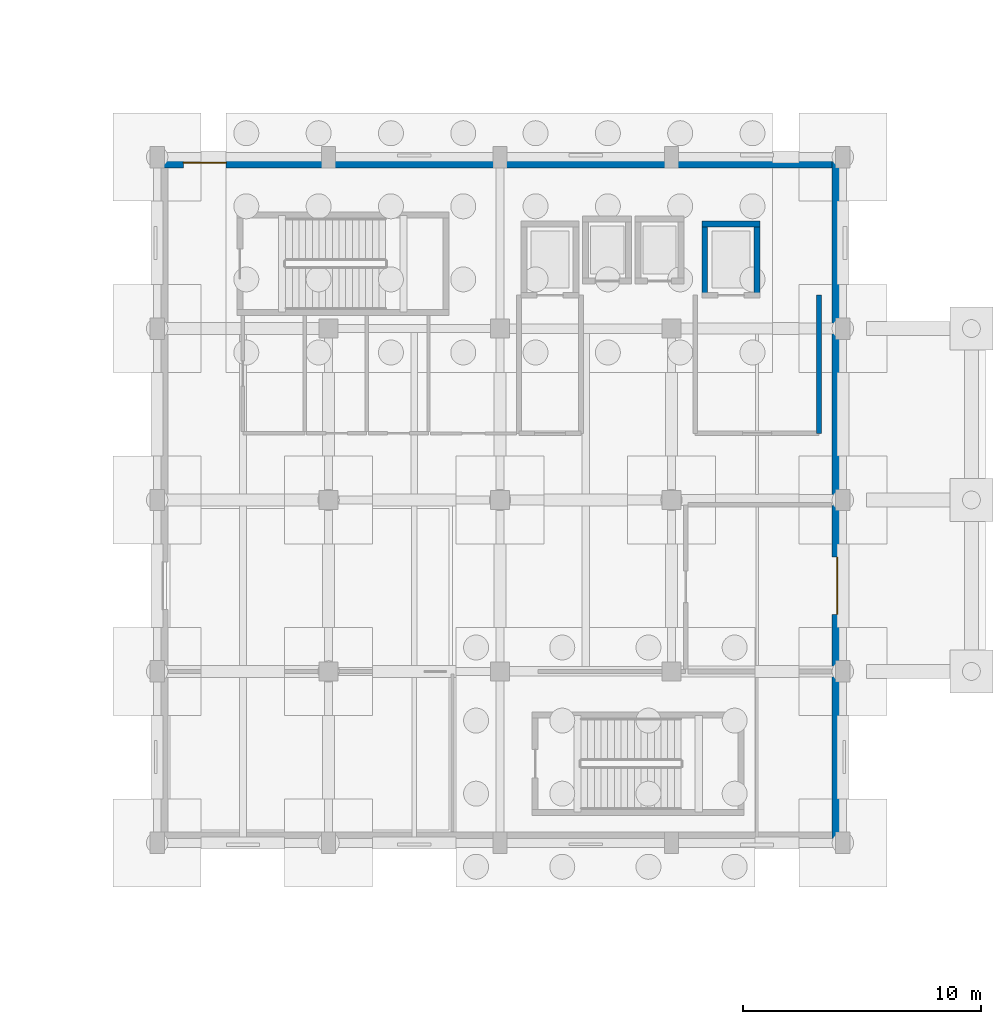
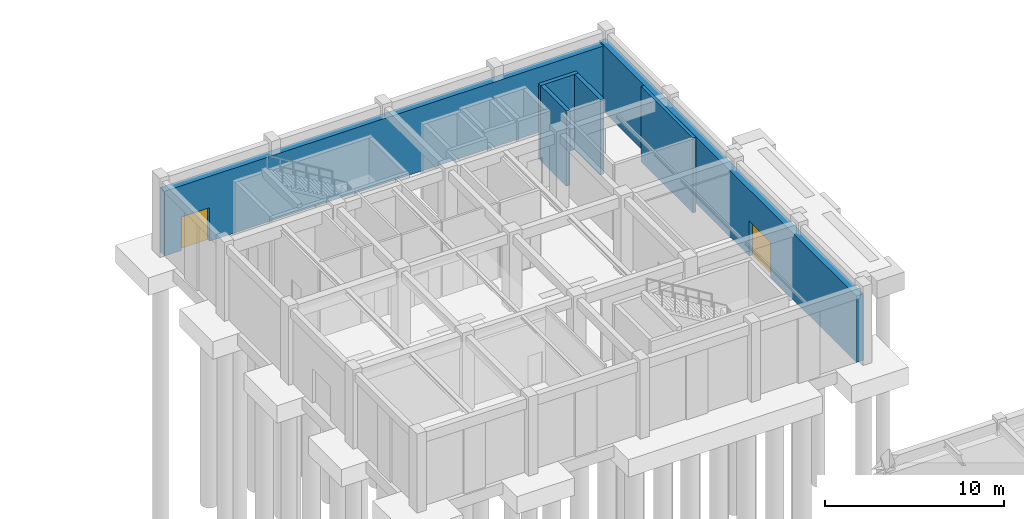
# One storey, part 78 of 91: 6 walls, 2 doors, 2 openings.
"""IFC4 building model written with IfcOpenShell, lengths in metres."""

from ifc_helpers import new_model, si_unit, direction, frame, frame_2d, origin, place, context, subcontext, project, spatial, rectangle, extrude, material, layer, layer_set, type_object, element, fill, save


model = new_model("IFC4")

# Units and contexts
model_context = context("Model", 3, precision=1e-05, world=origin(), true_north=direction((0.0, 1.0)))
body_context = subcontext(model_context, "Body", "Model", "MODEL_VIEW")
ifc_project = project(units=[si_unit("LENGTHUNIT", "METRE"), si_unit("AREAUNIT", "SQUARE_METRE"), si_unit("VOLUMEUNIT", "CUBIC_METRE"), si_unit("PLANEANGLEUNIT", "RADIAN"), si_unit("MASSUNIT", "GRAM", prefix="KILO")], contexts=[model_context])

# Site, building, storey
site_placement = place(None, origin())
site = spatial("IfcSite", under=ifc_project, at=site_placement, CompositionType="ELEMENT")
building_placement = place(site_placement, origin())
building = spatial("IfcBuilding", under=site, at=building_placement, Name="Bramveld Media Centre", CompositionType="ELEMENT")
storey_placement = place(building_placement, origin())
storey = spatial("IfcBuildingStorey", under=building, at=storey_placement, Name="L00", CompositionType="ELEMENT", Elevation=0.0)

# Walls
ifc_material_1 = material(Name="Concrete C40/50 stair & lift core wall", Category="concrete")
ifc_layer_1 = layer(ifc_material_1, 0.25)
ifc_layer_set_1 = layer_set([ifc_layer_1], Name="Concrete C40/50 stair & lift core wall")
wall_type_1 = type_object("IfcWallType", Name="CWALL-SHEAR-250", PredefinedType="SHEAR", material=ifc_layer_set_1)
wall_1_placement = place(storey_placement, frame((156.52490234375, 109.199951171875, 0.0), z_axis=(0.0, 0.0, 1.0), x_axis=(-1.0, 0.0, 0.0)))
element("IfcWall", 1, at=wall_1_placement, inside=storey, type_object=wall_type_1, Name="FL-02 L00 lift shaft wall N", PredefinedType="SHEAR", context=body_context, shape_type="SweptSolid", body=[
    extrude(rectangle(XDim=2.449951171875, YDim=0.25, at=frame_2d((1.22509765625, 0.0))), origin(), (0.0, 0.0, 1.0), 5.139892578125),
])
for number, where, z_axis, x_axis, name in (
    (2, (154.199951171875, 109.199951171875, 0.0), (0.0, 0.0, 1.0), (0.0, -1.0, 0.0), "FL-02 L00 lift shaft wall W"),
    (3, (156.39990234375, 106.199951171875, 0.0), (0.0, 0.0, 1.0), (0.0, 1.0, 0.0), "FL-02 L00 lift shaft wall E"),
):
    element("IfcWall", number, at=place(storey_placement, frame(where, z_axis=z_axis, x_axis=x_axis)), inside=storey, type_object=wall_type_1, Name=name, PredefinedType="SHEAR", context=body_context, shape_type="SweptSolid", body=[
        extrude(rectangle(XDim=3.0, YDim=0.25, at=frame_2d((1.5, 0.0))), origin(), (0.0, 0.0, 1.0), 5.139892578125),
    ])

# Wall, opening, door
ifc_material_2 = material(Name="Flemish red-brown clay facing brick cavity wall with concrete C35/45 inner leaf", Category="masonry")
ifc_layer_2 = layer(ifc_material_2, 0.4599609375)
ifc_layer_set_2 = layer_set([ifc_layer_2], Name="Flemish red-brown clay facing brick cavity wall with concrete C35/45 inner leaf")
wall_type_2 = type_object("IfcWallType", Name="EW-BRK-460", PredefinedType="SOLIDWALL", material=ifc_layer_set_2)
wall_2_placement = place(storey_placement, frame((159.77001953125, 112.0, 0.0), z_axis=(0.0, 0.0, 1.0), x_axis=(0.0, -1.0, 0.0)))
wall_2 = element("IfcWall", 4, at=wall_2_placement, inside=storey, type_object=wall_type_2, Name="V7 L00 E facing brick exterior wall", PredefinedType="SOLIDWALL", context=body_context, shape_type="SweptSolid", body=[
    extrude(rectangle(XDim=28.800048828125, YDim=0.4599609375, at=frame_2d((14.39990234375, 0.0))), origin(), (0.0, 0.0, 1.0), 4.534912109375),
])
opening_1_placement = place(wall_2_placement, frame((16.800048828125, 0.0, 0.0)))
opening_1 = element("IfcOpeningElement", 5, at=opening_1_placement, cuts=wall_2, Name="Opening ED-14", PredefinedType="OPENING", context=body_context, shape_type="SweptSolid", body=[
    extrude(rectangle(XDim=2.39990234375, YDim=2.39990234375, at=frame_2d((1.199951171875, 1.199951171875))), frame((0.0, 0.241943359375, 0.0), z_axis=(0.0, -1.0, 0.0), x_axis=(1.0, 0.0, 0.0)), (0.0, 0.0, 1.0), 0.48388671875),
])
ifc_material_3 = material(Name="Insulated powder-coated bronze aluminium & laminated safety glass door", Category="aluminium")
door_type_1 = type_object("IfcDoorType", Name="DR-EXT-2400", OperationType="NOTDEFINED", PredefinedType="DOOR", material=ifc_material_3)
door_1_placement = place(opening_1_placement, origin())
door_1 = element("IfcDoor", 6, at=door_1_placement, inside=storey, type_object=door_type_1, Name="Exterior door ED-14", OperationType="DOUBLE_DOOR_SINGLE_SWING", OverallHeight=2.39990234375, OverallWidth=2.39990234375, PredefinedType="DOOR", context=body_context, shape_type="SweptSolid", body=[
    extrude(rectangle(XDim=2.39990234375, YDim=2.39990234375, at=frame_2d((1.199951171875, 1.199951171875))), frame((0.0, 0.02490234375, 0.0), z_axis=(0.0, -1.0, 0.0), x_axis=(1.0, 0.0, 0.0)), (0.0, 0.0, 1.0), 0.050048828125),
])
fill(opening_1, door_1)

wall_3_placement = place(storey_placement, frame((131.199951171875, 111.77001953125, 0.0), z_axis=(0.0, 0.0, 1.0), x_axis=(1.0, 0.0, 0.0)))
wall_3 = element("IfcWall", 7, at=wall_3_placement, inside=storey, type_object=wall_type_2, Name="V7 L00 N facing brick exterior wall", PredefinedType="SOLIDWALL", context=body_context, shape_type="SweptSolid", body=[
    extrude(rectangle(XDim=28.800048828125, YDim=0.4599609375, at=frame_2d((14.39990234375, 0.0))), origin(), (0.0, 0.0, 1.0), 4.43505859375),
])
opening_2_placement = place(wall_3_placement, frame((1.10009765625, 0.0, 0.0)))
opening_2 = element("IfcOpeningElement", 8, at=opening_2_placement, cuts=wall_3, Name="Opening ED-16", PredefinedType="OPENING", context=body_context, shape_type="SweptSolid", body=[
    extrude(rectangle(XDim=1.800048828125, YDim=2.300048828125, at=frame_2d((0.89990234375, 1.14990234375))), frame((0.0, 0.241943359375, 0.0), z_axis=(0.0, -1.0, 0.0), x_axis=(1.0, 0.0, 0.0)), (0.0, 0.0, 1.0), 0.48388671875),
])
ifc_material_4 = material(Name="Insulated powder-coated bronze aluminium & laminated safety glass door", Category="aluminium")
door_type_2 = type_object("IfcDoorType", Name="DR-EXT-1800", OperationType="NOTDEFINED", PredefinedType="DOOR", material=ifc_material_4)
door_2_placement = place(opening_2_placement, origin())
door_2 = element("IfcDoor", 9, at=door_2_placement, inside=storey, type_object=door_type_2, Name="Exterior door ED-16", OperationType="DOUBLE_DOOR_SINGLE_SWING", OverallHeight=2.300048828125, OverallWidth=1.800048828125, PredefinedType="DOOR", context=body_context, shape_type="SweptSolid", body=[
    extrude(rectangle(XDim=1.800048828125, YDim=2.300048828125, at=frame_2d((0.89990234375, 1.14990234375))), frame((0.0, 0.02490234375, 0.0), z_axis=(0.0, -1.0, 0.0), x_axis=(1.0, 0.0, 0.0)), (0.0, 0.0, 1.0), 0.050048828125),
])
fill(opening_2, door_2)

# Wall
ifc_material_5 = material(Name="Acoustic calcium-silicate & mineral-wool compartment partition", Category="masonry")
ifc_layer_3 = layer(ifc_material_5, 0.199951171875)
ifc_layer_set_3 = layer_set([ifc_layer_3], Name="Acoustic calcium-silicate & mineral-wool compartment partition")
wall_type_3 = type_object("IfcWallType", Name="IW-ACOU-200", PredefinedType="PARTITIONING", material=ifc_layer_set_3)
wall_4_placement = place(storey_placement, frame((159.0, 100.39990234375, 0.0), z_axis=(0.0, 0.0, 1.0), x_axis=(0.0, 1.0, 0.0)))
element("IfcWall", 10, at=wall_4_placement, inside=storey, type_object=wall_type_3, Name="FL-02 L00 EI 120 firefighting lift lobby wall E", PredefinedType="PARTITIONING", context=body_context, shape_type="SweptSolid", body=[
    extrude(rectangle(XDim=5.800048828125, YDim=0.199951171875, at=frame_2d((2.89990234375, 0.0))), origin(), (0.0, 0.0, 1.0), 5.139892578125),
])

save(model, "model.ifc")
